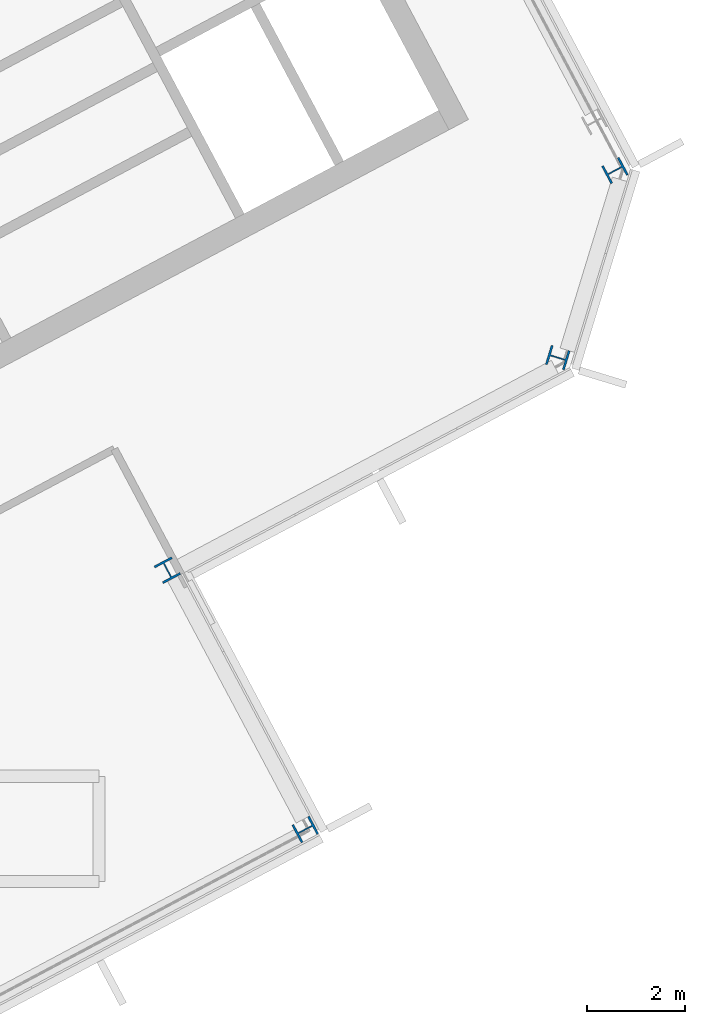
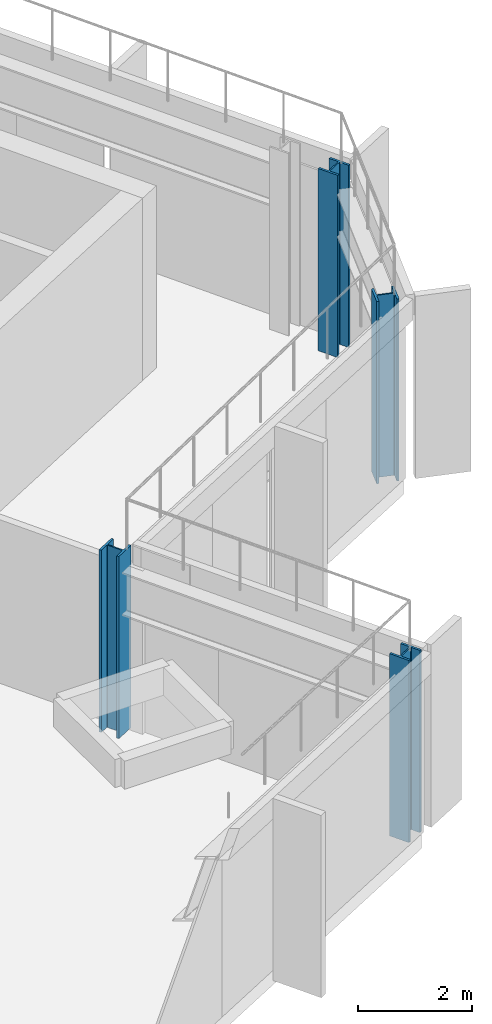
# One storey, part 8 of 35: 4 columns.
"""IFC4 building model written with IfcOpenShell, lengths in metres."""

from ifc_helpers import new_model, si_unit, direction, frame, origin, origin_2d, place, context, subcontext, project, spatial, i_section, extrude, material, material_profile, profile_set, type_object, element, save


model = new_model("IFC4")

# Units and contexts
model_context = context("Model", 3, precision=1e-05, world=origin(), true_north=direction((0.0, 1.0)))
body_context = subcontext(model_context, "Body", "Model", "MODEL_VIEW")
ifc_project = project(units=[si_unit("LENGTHUNIT", "METRE"), si_unit("AREAUNIT", "SQUARE_METRE"), si_unit("VOLUMEUNIT", "CUBIC_METRE"), si_unit("PLANEANGLEUNIT", "RADIAN"), si_unit("MASSUNIT", "GRAM", prefix="KILO")], contexts=[model_context])

# Site, building, storey
site_placement = place(None, origin())
site = spatial("IfcSite", under=ifc_project, at=site_placement, CompositionType="ELEMENT")
building_placement = place(site_placement, origin())
building = spatial("IfcBuilding", under=site, at=building_placement, Name="Cormorant Relay Tower", CompositionType="ELEMENT")
storey_placement = place(building_placement, frame((0.0, 0.0, 324.300048828125)))
storey = spatial("IfcBuildingStorey", under=building, at=storey_placement, Name="L74", CompositionType="ELEMENT", Elevation=324.300048828125)

# Columns
ifc_material = material(Name="Steel ASTM A992 (Fy 345 MPa)", Category="steel")
ifc_material_profile = material_profile(ifc_material, i_section(OverallWidth=0.40380859375, OverallDepth=0.406494140625, WebThickness=0.027099609375, FlangeThickness=0.043701171875, FilletRadius=0.01513671875, at=origin_2d()), Name="W360x347")
ifc_profile_set = profile_set([ifc_material_profile], Name="Steel ASTM A992 (Fy 345 MPa)")
column_type = type_object("IfcColumnType", Name="Column W360x347", PredefinedType="COLUMN", material=ifc_profile_set)
for number, where, z_axis, x_axis, name in (
    (1, (34.303955078125, -5.31201171875, 0.0), (0.0, 0.0, 1.0), (-0.469471562786, 0.882947592859, 0.0), "Column L74-012"),
    (2, (31.487060546875, -0.013916015625, 0.0), (0.0, 0.0, 1.0), (0.882947592859, 0.469471562786, 0.0), "Column L74-014"),
    (3, (39.464111328125, 4.330078125, 0.0), (0.0, 0.0, 1.0), (0.292371704723, 0.956304755963, 0.0), "Column L74-019"),
    (4, (40.633056640625, 8.153076171875, 0.0), (0.0, 0.0, 1.0), (-0.469471562786, 0.882947592859, 0.0), "Column L74-020"),
):
    element("IfcColumn", number, at=place(storey_placement, frame(where, z_axis=z_axis, x_axis=x_axis)), inside=storey, type_object=column_type, Name=name, PredefinedType="COLUMN", context=body_context, shape_type="SweptSolid", body=[
        extrude(i_section(OverallWidth=0.40380859375, OverallDepth=0.406494140625, WebThickness=0.027099609375, FlangeThickness=0.043701171875, FilletRadius=0.01513671875, at=origin_2d()), origin(), (0.0, 0.0, 1.0), 3.89990234375),
    ])

save(model, "model.ifc")
